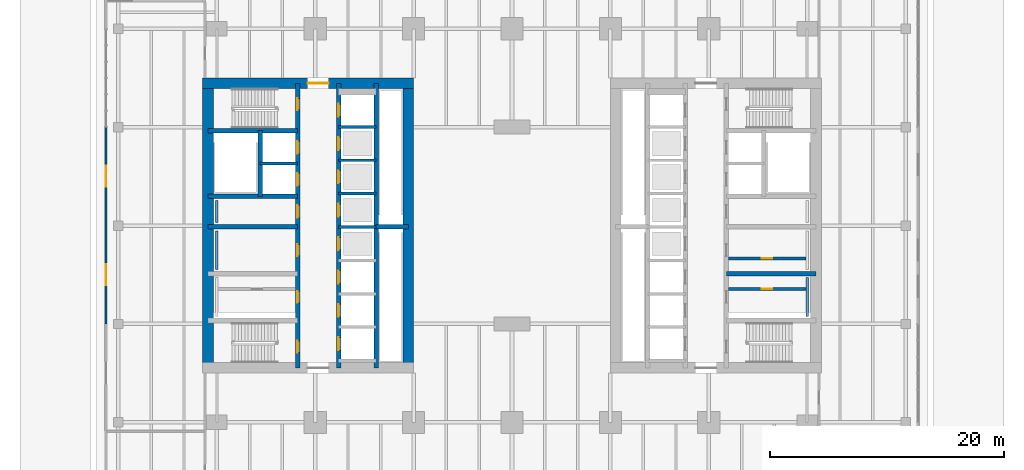
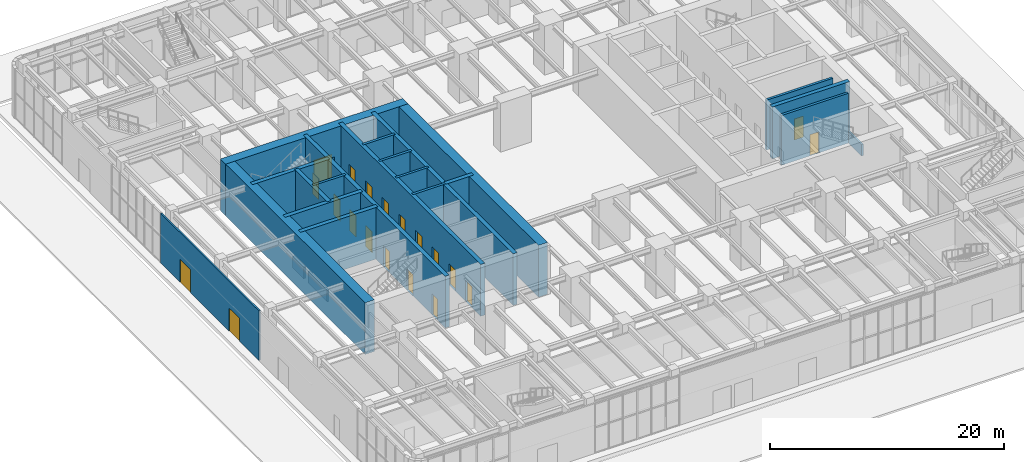
# One storey, part 19 of 31: 23 walls, 20 doors, 20 openings.
"""IFC4 building model written with IfcOpenShell, lengths in metres."""

from ifc_helpers import new_model, si_unit, direction, frame, frame_2d, origin, place, context, subcontext, project, spatial, rectangle, extrude, material, layer, layer_set, type_object, element, fill, save


model = new_model("IFC4")

# Units and contexts
model_context = context("Model", 3, precision=1e-05, world=origin(), true_north=direction((0.0, 1.0)))
body_context = subcontext(model_context, "Body", "Model", "MODEL_VIEW")
ifc_project = project(units=[si_unit("LENGTHUNIT", "METRE"), si_unit("AREAUNIT", "SQUARE_METRE"), si_unit("VOLUMEUNIT", "CUBIC_METRE"), si_unit("PLANEANGLEUNIT", "RADIAN"), si_unit("MASSUNIT", "GRAM", prefix="KILO")], contexts=[model_context])

# Site, building, storey
site_placement = place(None, origin())
site = spatial("IfcSite", under=ifc_project, at=site_placement, CompositionType="ELEMENT")
building_placement = place(site_placement, origin())
building = spatial("IfcBuilding", under=site, at=building_placement, Name="Claustro Exchange Tower", CompositionType="ELEMENT")
storey_placement = place(building_placement, origin())
storey = spatial("IfcBuildingStorey", under=building, at=storey_placement, Name="L00", CompositionType="ELEMENT", Elevation=0.0)

# Wall, openings, doors
ifc_material_1 = material(Name="Aluminium frame, clear double glazing", Category="aluminium")
ifc_layer_1 = layer(ifc_material_1, 0.14990234375)
ifc_layer_set_1 = layer_set([ifc_layer_1], Name="Aluminium frame, clear double glazing")
wall_type_1 = type_object("IfcWallType", Name="GS1 150 glazed entrance screen", PredefinedType="SOLIDWALL", material=ifc_layer_set_1)
wall_1_placement = place(storey_placement, frame((-9.449951171875, 16.800048828125, 0.0), z_axis=(0.0, 0.0, 1.0), x_axis=(0.0, 1.0, 0.0)))
wall_1 = element("IfcWall", 1, at=wall_1_placement, inside=storey, type_object=wall_type_1, Name="Entrance screen GS1 L00", PredefinedType="SOLIDWALL", context=body_context, shape_type="SweptSolid", body=[
    extrude(rectangle(XDim=16.800048828125, YDim=0.14990234375, at=frame_2d((8.39990234375, 0.0))), origin(), (0.0, 0.0, 1.0), 5.199951171875),
])
opening_1_placement = place(wall_1_placement, frame((3.300048828125, 0.0, 0.0)))
opening_1 = element("IfcOpeningElement", 2, at=opening_1_placement, cuts=wall_1, Name="Opening DE1", PredefinedType="OPENING", context=body_context, shape_type="SweptSolid", body=[
    extrude(rectangle(XDim=1.800048828125, YDim=2.39990234375, at=frame_2d((0.89990234375, 1.199951171875))), frame((0.0, 0.0849609375, 0.0), z_axis=(0.0, -1.0, 0.0), x_axis=(1.0, 0.0, 0.0)), (0.0, 0.0, 1.0), 0.169921875),
])
opening_2_placement = place(wall_1_placement, frame((11.699951171875, 0.0, 0.0)))
opening_2 = element("IfcOpeningElement", 3, at=opening_2_placement, cuts=wall_1, Name="Opening DE1", PredefinedType="OPENING", context=body_context, shape_type="SweptSolid", body=[
    extrude(rectangle(XDim=1.800048828125, YDim=2.39990234375, at=frame_2d((0.89990234375, 1.199951171875))), frame((0.0, 0.0849609375, 0.0), z_axis=(0.0, -1.0, 0.0), x_axis=(1.0, 0.0, 0.0)), (0.0, 0.0, 1.0), 0.169921875),
])
ifc_material_2 = material(Name="Aluminium frame, clear double glazing", Category="aluminium")
door_type_1 = type_object("IfcDoorType", Name="DE1 1800 x 2400 entrance double door", OperationType="DOUBLE_DOOR_SINGLE_SWING", PredefinedType="DOOR", material=ifc_material_2)
door_1_placement = place(opening_1_placement, origin())
door_1 = element("IfcDoor", 4, at=door_1_placement, inside=storey, type_object=door_type_1, Name="External door DE1 L00", OperationType="DOUBLE_DOOR_SINGLE_SWING", OverallHeight=2.39990234375, OverallWidth=1.800048828125, PredefinedType="DOOR", context=body_context, shape_type="SweptSolid", body=[
    extrude(rectangle(XDim=1.800048828125, YDim=2.39990234375, at=frame_2d((0.89990234375, 1.199951171875))), frame((0.0, 0.02490234375, 0.0), z_axis=(0.0, -1.0, 0.0), x_axis=(1.0, 0.0, 0.0)), (0.0, 0.0, 1.0), 0.050048828125),
])
fill(opening_1, door_1)
door_2_placement = place(opening_2_placement, origin())
door_2 = element("IfcDoor", 5, at=door_2_placement, inside=storey, type_object=door_type_1, Name="External door DE1 L00", OperationType="DOUBLE_DOOR_SINGLE_SWING", OverallHeight=2.39990234375, OverallWidth=1.800048828125, PredefinedType="DOOR", context=body_context, shape_type="SweptSolid", body=[
    extrude(rectangle(XDim=1.800048828125, YDim=2.39990234375, at=frame_2d((0.89990234375, 1.199951171875))), frame((0.0, 0.02490234375, 0.0), z_axis=(0.0, -1.0, 0.0), x_axis=(1.0, 0.0, 0.0)), (0.0, 0.0, 1.0), 0.050048828125),
])
fill(opening_2, door_2)

# Wall, opening, door
ifc_material_3 = material(Name="Concrete blockwork, rendered", Category="masonry")
ifc_layer_2 = layer(ifc_material_3, 0.25)
ifc_layer_set_2 = layer_set([ifc_layer_2], Name="Concrete blockwork, rendered")
wall_type_2 = type_object("IfcWallType", Name="P4 250 blockwork wall", PredefinedType="PARTITIONING", material=ifc_layer_set_2)
wall_2_placement = place(storey_placement, frame((43.699951171875, 22.39990234375, 0.0), z_axis=(0.0, 0.0, 1.0), x_axis=(1.0, 0.0, 0.0)))
wall_2 = element("IfcWall", 6, at=wall_2_placement, inside=storey, type_object=wall_type_2, Name="Partition P4 L00", PredefinedType="PARTITIONING", context=body_context, shape_type="SweptSolid", body=[
    extrude(rectangle(XDim=6.60009765625, YDim=0.25, at=frame_2d((3.300048828125, 0.0))), origin(), (0.0, 0.0, 1.0), 5.199951171875),
])
opening_3_placement = place(wall_2_placement, frame((2.824951171875, 0.0, 0.0)))
opening_3 = element("IfcOpeningElement", 7, at=opening_3_placement, cuts=wall_2, Name="Opening D5", PredefinedType="OPENING", context=body_context, shape_type="SweptSolid", body=[
    extrude(rectangle(XDim=0.89990234375, YDim=2.199951171875, at=frame_2d((0.449951171875, 1.10009765625))), frame((0.0, 0.135009765625, 0.0), z_axis=(0.0, -1.0, 0.0), x_axis=(1.0, 0.0, 0.0)), (0.0, 0.0, 1.0), 0.27001953125),
])
ifc_material_4 = material(Name="Steel door, painted", Category="steel")
door_type_2 = type_object("IfcDoorType", Name="D5 900 x 2200 store door", OperationType="SINGLE_SWING_LEFT", PredefinedType="DOOR", material=ifc_material_4)
door_3_placement = place(opening_3_placement, frame((0.89990234375, 0.0, 0.0), z_axis=(0.0, 0.0, 1.0), x_axis=(-1.0, 0.0, 0.0)))
door_3 = element("IfcDoor", 8, at=door_3_placement, inside=storey, type_object=door_type_2, Name="Store door D5 L00", OperationType="SINGLE_SWING_LEFT", OverallHeight=2.199951171875, OverallWidth=0.89990234375, PredefinedType="DOOR", context=body_context, shape_type="SweptSolid", body=[
    extrude(rectangle(XDim=0.89990234375, YDim=2.199951171875, at=frame_2d((0.449951171875, 1.10009765625))), frame((0.0, 0.02490234375, 0.0), z_axis=(0.0, -1.0, 0.0), x_axis=(1.0, 0.0, 0.0)), (0.0, 0.0, 1.0), 0.050048828125),
])
fill(opening_3, door_3)

wall_3_placement = place(storey_placement, frame((43.699951171875, 19.800048828125, 0.0), z_axis=(0.0, 0.0, 1.0), x_axis=(1.0, 0.0, 0.0)))
wall_3 = element("IfcWall", 9, at=wall_3_placement, inside=storey, type_object=wall_type_2, Name="Partition P4 L00", PredefinedType="PARTITIONING", context=body_context, shape_type="SweptSolid", body=[
    extrude(rectangle(XDim=6.60009765625, YDim=0.25, at=frame_2d((3.300048828125, 0.0))), origin(), (0.0, 0.0, 1.0), 5.199951171875),
])
opening_4_placement = place(wall_3_placement, frame((2.824951171875, 0.0, 0.0)))
opening_4 = element("IfcOpeningElement", 10, at=opening_4_placement, cuts=wall_3, Name="Opening D5", PredefinedType="OPENING", context=body_context, shape_type="SweptSolid", body=[
    extrude(rectangle(XDim=0.89990234375, YDim=2.199951171875, at=frame_2d((0.449951171875, 1.10009765625))), frame((0.0, 0.135009765625, 0.0), z_axis=(0.0, -1.0, 0.0), x_axis=(1.0, 0.0, 0.0)), (0.0, 0.0, 1.0), 0.27001953125),
])
door_4_placement = place(opening_4_placement, origin())
door_4 = element("IfcDoor", 11, at=door_4_placement, inside=storey, type_object=door_type_2, Name="Store door D5 L00", OperationType="SINGLE_SWING_RIGHT", OverallHeight=2.199951171875, OverallWidth=0.89990234375, PredefinedType="DOOR", context=body_context, shape_type="SweptSolid", body=[
    extrude(rectangle(XDim=0.89990234375, YDim=2.199951171875, at=frame_2d((0.449951171875, 1.10009765625))), frame((0.0, 0.02490234375, 0.0), z_axis=(0.0, -1.0, 0.0), x_axis=(1.0, 0.0, 0.0)), (0.0, 0.0, 1.0), 0.050048828125),
])
fill(opening_4, door_4)

# Walls
ifc_material_5 = material(Name="Gypsum board on steel studs, tiled", Category="steel")
ifc_layer_3 = layer(ifc_material_5, 0.199951171875)
ifc_layer_set_3 = layer_set([ifc_layer_3], Name="Gypsum board on steel studs, tiled")
wall_type_3 = type_object("IfcWallType", Name="PW1 200 WC duct wall", PredefinedType="PLUMBINGWALL", material=ifc_layer_set_3)
for number, where, z_axis, x_axis, name in (
    (12, (50.39990234375, 17.449951171875, 0.0), (0.0, 0.0, 1.0), (0.0, 1.0, 0.0), "WC duct wall PW1 L00"),
    (13, (0.0, 21.449951171875, 0.0), (0.0, 0.0, 1.0), (0.0, 1.0, 0.0), "WC duct wall PW1 L00"),
):
    element("IfcWall", number, at=place(storey_placement, frame(where, z_axis=z_axis, x_axis=x_axis)), inside=storey, type_object=wall_type_3, Name=name, PredefinedType="PLUMBINGWALL", context=body_context, shape_type="SweptSolid", body=[
        extrude(rectangle(XDim=3.300048828125, YDim=0.199951171875, at=frame_2d((1.64990234375, 0.0))), origin(), (0.0, 0.0, 1.0), 1.199951171875),
    ])
wall_4_placement = place(storey_placement, frame((0.0, 25.449951171875, 0.0), z_axis=(0.0, 0.0, 1.0), x_axis=(0.0, 1.0, 0.0)))
element("IfcWall", 14, at=wall_4_placement, inside=storey, type_object=wall_type_3, Name="WC duct wall PW1 L00", PredefinedType="PLUMBINGWALL", context=body_context, shape_type="SweptSolid", body=[
    extrude(rectangle(XDim=1.900146484375, YDim=0.199951171875, at=frame_2d((0.9501953125, 0.0))), origin(), (0.0, 0.0, 1.0), 1.199951171875),
])

# Wall, opening, door
ifc_material_6 = material(Name="Concrete HA-70 (C70/85)", Category="concrete")
ifc_layer_4 = layer(ifc_material_6, 0.89990234375)
ifc_layer_set_4 = layer_set([ifc_layer_4], Name="Concrete HA-70 (C70/85)")
wall_type_4 = type_object("IfcWallType", Name="SW1 900 core shear wall", PredefinedType="SHEAR", material=ifc_layer_set_4)
wall_5_placement = place(storey_placement, frame((-1.199951171875, 37.35009765625, 0.0), z_axis=(0.0, 0.0, 1.0), x_axis=(1.0, 0.0, 0.0)))
wall_5 = element("IfcWall", 15, at=wall_5_placement, inside=storey, type_object=wall_type_4, Name="Core wall SW1 W core N face L00", PredefinedType="SHEAR", context=body_context, shape_type="SweptSolid", body=[
    extrude(rectangle(XDim=18.0, YDim=0.89990234375, at=frame_2d((9.0, 0.0))), origin(), (0.0, 0.0, 1.0), 5.39990234375),
])
opening_5_placement = place(wall_5_placement, frame((8.949951171875, 0.0, 0.0)))
opening_5 = element("IfcOpeningElement", 16, at=opening_5_placement, cuts=wall_5, Name="Opening D3", PredefinedType="OPENING", context=body_context, shape_type="SweptSolid", body=[
    extrude(rectangle(XDim=1.800048828125, YDim=2.39990234375, at=frame_2d((0.89990234375, 1.199951171875))), frame((0.0, 0.4599609375, 0.0), z_axis=(0.0, -1.0, 0.0), x_axis=(1.0, 0.0, 0.0)), (0.0, 0.0, 1.0), 0.919921875),
])
ifc_material_7 = material(Name="Steel fire door, painted", Category="steel")
door_type_3 = type_object("IfcDoorType", Name="D3 1800 x 2400 fire-rated lobby double door", OperationType="DOUBLE_DOOR_SINGLE_SWING", PredefinedType="DOOR", material=ifc_material_7)
door_5_placement = place(opening_5_placement, frame((1.800048828125, 0.0, 0.0), z_axis=(0.0, 0.0, 1.0), x_axis=(-1.0, 0.0, 0.0)))
door_5 = element("IfcDoor", 17, at=door_5_placement, inside=storey, type_object=door_type_3, Name="Lift lobby door D3 L00", OperationType="DOUBLE_DOOR_SINGLE_SWING", OverallHeight=2.39990234375, OverallWidth=1.800048828125, PredefinedType="DOOR", context=body_context, shape_type="SweptSolid", body=[
    extrude(rectangle(XDim=1.800048828125, YDim=2.39990234375, at=frame_2d((0.89990234375, 1.199951171875))), frame((0.0, 0.02490234375, 0.0), z_axis=(0.0, -1.0, 0.0), x_axis=(1.0, 0.0, 0.0)), (0.0, 0.0, 1.0), 0.050048828125),
])
fill(opening_5, door_5)

# Walls
ifc_material_8 = material(Name="Concrete HA-70 (C70/85)", Category="concrete")
ifc_layer_5 = layer(ifc_material_8, 0.89990234375)
ifc_layer_set_5 = layer_set([ifc_layer_5], Name="Concrete HA-70 (C70/85)")
wall_type_5 = type_object("IfcWallType", Name="SW1X 900 exposed core shear wall, board-marked face", PredefinedType="SHEAR", material=ifc_layer_set_5)
for number, where, z_axis, x_axis, name in (
    (18, (-0.75, 13.050048828125, 0.0), (0.0, 0.0, 1.0), (0.0, 1.0, 0.0), "Core wall SW1X W core W face L00"),
    (19, (16.35009765625, 13.050048828125, 0.0), (0.0, 0.0, 1.0), (0.0, 1.0, 0.0), "Core wall SW1X W core E face L00"),
):
    element("IfcWall", number, at=place(storey_placement, frame(where, z_axis=z_axis, x_axis=x_axis)), inside=storey, type_object=wall_type_5, Name=name, PredefinedType="SHEAR", context=body_context, shape_type="SweptSolid", body=[
        extrude(rectangle(XDim=24.300048828125, YDim=0.89990234375, at=frame_2d((12.14990234375, 0.0))), origin(), (0.0, 0.0, 1.0), 5.39990234375),
    ])

# Wall, openings, doors
ifc_material_9 = material(Name="Concrete HA-50 (C50/60)", Category="concrete")
ifc_layer_6 = layer(ifc_material_9, 0.39990234375)
ifc_layer_set_6 = layer_set([ifc_layer_6], Name="Concrete HA-50 (C50/60)")
wall_type_6 = type_object("IfcWallType", Name="SW4 400 internal core wall", PredefinedType="SHEAR", material=ifc_layer_set_6)
wall_6_placement = place(storey_placement, frame((6.89990234375, 13.050048828125, 0.0), z_axis=(0.0, 0.0, 1.0), x_axis=(0.0, 1.0, 0.0)))
wall_6 = element("IfcWall", 20, at=wall_6_placement, inside=storey, type_object=wall_type_6, Name="Internal core wall SW4 W core L00", PredefinedType="SHEAR", context=body_context, shape_type="SweptSolid", body=[
    extrude(rectangle(XDim=24.300048828125, YDim=0.39990234375, at=frame_2d((12.14990234375, 0.0))), origin(), (0.0, 0.0, 1.0), 5.39990234375),
])
opening_6_placement = place(wall_6_placement, frame((1.300048828125, 0.0, 0.0)))
opening_6 = element("IfcOpeningElement", 21, at=opening_6_placement, cuts=wall_6, Name="Opening D4", PredefinedType="OPENING", context=body_context, shape_type="SweptSolid", body=[
    extrude(rectangle(XDim=1.0, YDim=2.199951171875, at=frame_2d((0.5, 1.10009765625))), frame((0.0, 0.2099609375, 0.0), z_axis=(0.0, -1.0, 0.0), x_axis=(1.0, 0.0, 0.0)), (0.0, 0.0, 1.0), 0.419921875),
])
opening_7_placement = place(wall_6_placement, frame((22.0, 0.0, 0.0)))
opening_7 = element("IfcOpeningElement", 22, at=opening_7_placement, cuts=wall_6, Name="Opening D4", PredefinedType="OPENING", context=body_context, shape_type="SweptSolid", body=[
    extrude(rectangle(XDim=1.0, YDim=2.199951171875, at=frame_2d((0.5, 1.10009765625))), frame((0.0, 0.2099609375, 0.0), z_axis=(0.0, -1.0, 0.0), x_axis=(1.0, 0.0, 0.0)), (0.0, 0.0, 1.0), 0.419921875),
])
opening_8_placement = place(wall_6_placement, frame((5.550048828125, 0.0, 0.0)))
opening_8 = element("IfcOpeningElement", 23, at=opening_8_placement, cuts=wall_6, Name="Opening D1", PredefinedType="OPENING", context=body_context, shape_type="SweptSolid", body=[
    extrude(rectangle(XDim=1.0, YDim=2.199951171875, at=frame_2d((0.5, 1.10009765625))), frame((0.0, 0.2099609375, 0.0), z_axis=(0.0, -1.0, 0.0), x_axis=(1.0, 0.0, 0.0)), (0.0, 0.0, 1.0), 0.419921875),
])
opening_9_placement = place(wall_6_placement, frame((9.550048828125, 0.0, 0.0)))
opening_9 = element("IfcOpeningElement", 24, at=opening_9_placement, cuts=wall_6, Name="Opening D1", PredefinedType="OPENING", context=body_context, shape_type="SweptSolid", body=[
    extrude(rectangle(XDim=1.0, YDim=2.199951171875, at=frame_2d((0.5, 1.10009765625))), frame((0.0, 0.2099609375, 0.0), z_axis=(0.0, -1.0, 0.0), x_axis=(1.0, 0.0, 0.0)), (0.0, 0.0, 1.0), 0.419921875),
])
opening_10_placement = place(wall_6_placement, frame((12.800048828125, 0.0, 0.0)))
opening_10 = element("IfcOpeningElement", 25, at=opening_10_placement, cuts=wall_6, Name="Opening D10", PredefinedType="OPENING", context=body_context, shape_type="SweptSolid", body=[
    extrude(rectangle(XDim=1.10009765625, YDim=2.199951171875, at=frame_2d((0.550048828125, 1.10009765625))), frame((0.0, 0.2099609375, 0.0), z_axis=(0.0, -1.0, 0.0), x_axis=(1.0, 0.0, 0.0)), (0.0, 0.0, 1.0), 0.419921875),
])
opening_11_placement = place(wall_6_placement, frame((15.53759765625, 0.0, 0.0)))
opening_11 = element("IfcOpeningElement", 26, at=opening_11_placement, cuts=wall_6, Name="Opening LD", PredefinedType="OPENING", context=body_context, shape_type="SweptSolid", body=[
    extrude(rectangle(XDim=1.10009765625, YDim=2.199951171875, at=frame_2d((0.550048828125, 1.10009765625))), frame((0.0, 0.2099609375, 0.0), z_axis=(0.0, -1.0, 0.0), x_axis=(1.0, 0.0, 0.0)), (0.0, 0.0, 1.0), 0.419921875),
])
opening_12_placement = place(wall_6_placement, frame((18.262451171875, 0.0, 0.0)))
opening_12 = element("IfcOpeningElement", 27, at=opening_12_placement, cuts=wall_6, Name="Opening LD", PredefinedType="OPENING", context=body_context, shape_type="SweptSolid", body=[
    extrude(rectangle(XDim=1.10009765625, YDim=2.199951171875, at=frame_2d((0.550048828125, 1.10009765625))), frame((0.0, 0.2099609375, 0.0), z_axis=(0.0, -1.0, 0.0), x_axis=(1.0, 0.0, 0.0)), (0.0, 0.0, 1.0), 0.419921875),
])
ifc_material_10 = material(Name="Timber door, oak veneer", Category="wood")
door_type_4 = type_object("IfcDoorType", Name="D1 1000 x 2200 single door", OperationType="SINGLE_SWING_LEFT", PredefinedType="DOOR", material=ifc_material_10)
door_6_placement = place(opening_8_placement, origin())
door_6 = element("IfcDoor", 28, at=door_6_placement, inside=storey, type_object=door_type_4, Name="Door D1 L00", OperationType="SINGLE_SWING_RIGHT", OverallHeight=2.199951171875, OverallWidth=1.0, PredefinedType="DOOR", context=body_context, shape_type="SweptSolid", body=[
    extrude(rectangle(XDim=1.0, YDim=2.199951171875, at=frame_2d((0.5, 1.10009765625))), frame((0.0, 0.02490234375, 0.0), z_axis=(0.0, -1.0, 0.0), x_axis=(1.0, 0.0, 0.0)), (0.0, 0.0, 1.0), 0.050048828125),
])
fill(opening_8, door_6)
door_7_placement = place(opening_9_placement, origin())
door_7 = element("IfcDoor", 29, at=door_7_placement, inside=storey, type_object=door_type_4, Name="Door D1 L00", OperationType="SINGLE_SWING_RIGHT", OverallHeight=2.199951171875, OverallWidth=1.0, PredefinedType="DOOR", context=body_context, shape_type="SweptSolid", body=[
    extrude(rectangle(XDim=1.0, YDim=2.199951171875, at=frame_2d((0.5, 1.10009765625))), frame((0.0, 0.02490234375, 0.0), z_axis=(0.0, -1.0, 0.0), x_axis=(1.0, 0.0, 0.0)), (0.0, 0.0, 1.0), 0.050048828125),
])
fill(opening_9, door_7)
ifc_material_11 = material(Name="Timber door, oak veneer", Category="wood")
door_type_5 = type_object("IfcDoorType", Name="D10 1100 x 2200 accessible WC door", OperationType="SINGLE_SWING_LEFT", PredefinedType="DOOR", material=ifc_material_11)
door_8_placement = place(opening_10_placement, frame((1.10009765625, 0.0, 0.0), z_axis=(0.0, 0.0, 1.0), x_axis=(-1.0, 0.0, 0.0)))
door_8 = element("IfcDoor", 30, at=door_8_placement, inside=storey, type_object=door_type_5, Name="Accessible WC door D10 L00", OperationType="SINGLE_SWING_LEFT", OverallHeight=2.199951171875, OverallWidth=1.10009765625, PredefinedType="DOOR", context=body_context, shape_type="SweptSolid", body=[
    extrude(rectangle(XDim=1.10009765625, YDim=2.199951171875, at=frame_2d((0.550048828125, 1.10009765625))), frame((0.0, 0.02490234375, 0.0), z_axis=(0.0, -1.0, 0.0), x_axis=(1.0, 0.0, 0.0)), (0.0, 0.0, 1.0), 0.050048828125),
])
fill(opening_10, door_8)
ifc_material_12 = material(Name="Steel fire door, painted", Category="steel")
door_type_6 = type_object("IfcDoorType", Name="D4 1000 x 2200 fire-rated stair door", OperationType="SINGLE_SWING_LEFT", PredefinedType="DOOR", material=ifc_material_12)
door_9_placement = place(opening_6_placement, frame((1.0, 0.0, 0.0), z_axis=(0.0, 0.0, 1.0), x_axis=(-1.0, 0.0, 0.0)))
door_9 = element("IfcDoor", 31, at=door_9_placement, inside=storey, type_object=door_type_6, Name="Stair door D4 L00", OperationType="SINGLE_SWING_RIGHT", OverallHeight=2.199951171875, OverallWidth=1.0, PredefinedType="DOOR", context=body_context, shape_type="SweptSolid", body=[
    extrude(rectangle(XDim=1.0, YDim=2.199951171875, at=frame_2d((0.5, 1.10009765625))), frame((0.0, 0.02490234375, 0.0), z_axis=(0.0, -1.0, 0.0), x_axis=(1.0, 0.0, 0.0)), (0.0, 0.0, 1.0), 0.050048828125),
])
fill(opening_6, door_9)
door_10_placement = place(opening_7_placement, frame((1.0, 0.0, 0.0), z_axis=(0.0, 0.0, 1.0), x_axis=(-1.0, 0.0, 0.0)))
door_10 = element("IfcDoor", 32, at=door_10_placement, inside=storey, type_object=door_type_6, Name="Stair door D4 L00", OperationType="SINGLE_SWING_LEFT", OverallHeight=2.199951171875, OverallWidth=1.0, PredefinedType="DOOR", context=body_context, shape_type="SweptSolid", body=[
    extrude(rectangle(XDim=1.0, YDim=2.199951171875, at=frame_2d((0.5, 1.10009765625))), frame((0.0, 0.02490234375, 0.0), z_axis=(0.0, -1.0, 0.0), x_axis=(1.0, 0.0, 0.0)), (0.0, 0.0, 1.0), 0.050048828125),
])
fill(opening_7, door_10)
ifc_material_13 = material(Name="Stainless steel sliding door", Category="steel")
door_type_7 = type_object("IfcDoorType", Name="LD 1100 x 2200 lift landing door", OperationType="DOUBLE_DOOR_SLIDING", PredefinedType="DOOR", material=ifc_material_13)
door_11_placement = place(opening_11_placement, origin())
door_11 = element("IfcDoor", 33, at=door_11_placement, inside=storey, type_object=door_type_7, Name="Lift landing door LEW1 LD L00", OperationType="DOUBLE_DOOR_SLIDING", OverallHeight=2.199951171875, OverallWidth=1.10009765625, PredefinedType="DOOR", context=body_context, shape_type="SweptSolid", body=[
    extrude(rectangle(XDim=1.10009765625, YDim=2.199951171875, at=frame_2d((0.550048828125, 1.10009765625))), frame((0.0, 0.02490234375, 0.0), z_axis=(0.0, -1.0, 0.0), x_axis=(1.0, 0.0, 0.0)), (0.0, 0.0, 1.0), 0.050048828125),
])
fill(opening_11, door_11)
door_12_placement = place(opening_12_placement, origin())
door_12 = element("IfcDoor", 34, at=door_12_placement, inside=storey, type_object=door_type_7, Name="Lift landing door LEW2 LD L00", OperationType="DOUBLE_DOOR_SLIDING", OverallHeight=2.199951171875, OverallWidth=1.10009765625, PredefinedType="DOOR", context=body_context, shape_type="SweptSolid", body=[
    extrude(rectangle(XDim=1.10009765625, YDim=2.199951171875, at=frame_2d((0.550048828125, 1.10009765625))), frame((0.0, 0.02490234375, 0.0), z_axis=(0.0, -1.0, 0.0), x_axis=(1.0, 0.0, 0.0)), (0.0, 0.0, 1.0), 0.050048828125),
])
fill(opening_12, door_12)

wall_7_placement = place(storey_placement, frame((10.39990234375, 13.050048828125, 0.0), z_axis=(0.0, 0.0, 1.0), x_axis=(0.0, 1.0, 0.0)))
wall_7 = element("IfcWall", 35, at=wall_7_placement, inside=storey, type_object=wall_type_6, Name="Internal core wall SW4 W core L00", PredefinedType="SHEAR", context=body_context, shape_type="SweptSolid", body=[
    extrude(rectangle(XDim=24.300048828125, YDim=0.39990234375, at=frame_2d((12.14990234375, 0.0))), origin(), (0.0, 0.0, 1.0), 5.39990234375),
])
opening_13_placement = place(wall_7_placement, frame((1.5, 0.0, 0.0)))
opening_13 = element("IfcOpeningElement", 36, at=opening_13_placement, cuts=wall_7, Name="Opening LD", PredefinedType="OPENING", context=body_context, shape_type="SweptSolid", body=[
    extrude(rectangle(XDim=1.10009765625, YDim=2.199951171875, at=frame_2d((0.550048828125, 1.10009765625))), frame((0.0, 0.2099609375, 0.0), z_axis=(0.0, -1.0, 0.0), x_axis=(1.0, 0.0, 0.0)), (0.0, 0.0, 1.0), 0.419921875),
])
opening_14_placement = place(wall_7_placement, frame((4.35009765625, 0.0, 0.0)))
opening_14 = element("IfcOpeningElement", 37, at=opening_14_placement, cuts=wall_7, Name="Opening LD", PredefinedType="OPENING", context=body_context, shape_type="SweptSolid", body=[
    extrude(rectangle(XDim=1.10009765625, YDim=2.199951171875, at=frame_2d((0.550048828125, 1.10009765625))), frame((0.0, 0.2099609375, 0.0), z_axis=(0.0, -1.0, 0.0), x_axis=(1.0, 0.0, 0.0)), (0.0, 0.0, 1.0), 0.419921875),
])
opening_15_placement = place(wall_7_placement, frame((7.199951171875, 0.0, 0.0)))
opening_15 = element("IfcOpeningElement", 38, at=opening_15_placement, cuts=wall_7, Name="Opening LD", PredefinedType="OPENING", context=body_context, shape_type="SweptSolid", body=[
    extrude(rectangle(XDim=1.10009765625, YDim=2.199951171875, at=frame_2d((0.550048828125, 1.10009765625))), frame((0.0, 0.2099609375, 0.0), z_axis=(0.0, -1.0, 0.0), x_axis=(1.0, 0.0, 0.0)), (0.0, 0.0, 1.0), 0.419921875),
])
opening_16_placement = place(wall_7_placement, frame((10.050048828125, 0.0, 0.0)))
opening_16 = element("IfcOpeningElement", 39, at=opening_16_placement, cuts=wall_7, Name="Opening LD", PredefinedType="OPENING", context=body_context, shape_type="SweptSolid", body=[
    extrude(rectangle(XDim=1.10009765625, YDim=2.199951171875, at=frame_2d((0.550048828125, 1.10009765625))), frame((0.0, 0.2099609375, 0.0), z_axis=(0.0, -1.0, 0.0), x_axis=(1.0, 0.0, 0.0)), (0.0, 0.0, 1.0), 0.419921875),
])
opening_17_placement = place(wall_7_placement, frame((12.89990234375, 0.0, 0.0)))
opening_17 = element("IfcOpeningElement", 40, at=opening_17_placement, cuts=wall_7, Name="Opening LD", PredefinedType="OPENING", context=body_context, shape_type="SweptSolid", body=[
    extrude(rectangle(XDim=1.10009765625, YDim=2.199951171875, at=frame_2d((0.550048828125, 1.10009765625))), frame((0.0, 0.2099609375, 0.0), z_axis=(0.0, -1.0, 0.0), x_axis=(1.0, 0.0, 0.0)), (0.0, 0.0, 1.0), 0.419921875),
])
opening_18_placement = place(wall_7_placement, frame((15.75, 0.0, 0.0)))
opening_18 = element("IfcOpeningElement", 41, at=opening_18_placement, cuts=wall_7, Name="Opening LD", PredefinedType="OPENING", context=body_context, shape_type="SweptSolid", body=[
    extrude(rectangle(XDim=1.10009765625, YDim=2.199951171875, at=frame_2d((0.550048828125, 1.10009765625))), frame((0.0, 0.2099609375, 0.0), z_axis=(0.0, -1.0, 0.0), x_axis=(1.0, 0.0, 0.0)), (0.0, 0.0, 1.0), 0.419921875),
])
opening_19_placement = place(wall_7_placement, frame((18.60009765625, 0.0, 0.0)))
opening_19 = element("IfcOpeningElement", 42, at=opening_19_placement, cuts=wall_7, Name="Opening LD", PredefinedType="OPENING", context=body_context, shape_type="SweptSolid", body=[
    extrude(rectangle(XDim=1.10009765625, YDim=2.199951171875, at=frame_2d((0.550048828125, 1.10009765625))), frame((0.0, 0.2099609375, 0.0), z_axis=(0.0, -1.0, 0.0), x_axis=(1.0, 0.0, 0.0)), (0.0, 0.0, 1.0), 0.419921875),
])
opening_20_placement = place(wall_7_placement, frame((21.449951171875, 0.0, 0.0)))
opening_20 = element("IfcOpeningElement", 43, at=opening_20_placement, cuts=wall_7, Name="Opening LD", PredefinedType="OPENING", context=body_context, shape_type="SweptSolid", body=[
    extrude(rectangle(XDim=1.10009765625, YDim=2.199951171875, at=frame_2d((0.550048828125, 1.10009765625))), frame((0.0, 0.2099609375, 0.0), z_axis=(0.0, -1.0, 0.0), x_axis=(1.0, 0.0, 0.0)), (0.0, 0.0, 1.0), 0.419921875),
])
door_13_placement = place(opening_13_placement, origin())
door_13 = element("IfcDoor", 44, at=door_13_placement, inside=storey, type_object=door_type_7, Name="Lift landing door LLW1 LD L00", OperationType="DOUBLE_DOOR_SLIDING", OverallHeight=2.199951171875, OverallWidth=1.10009765625, PredefinedType="DOOR", context=body_context, shape_type="SweptSolid", body=[
    extrude(rectangle(XDim=1.10009765625, YDim=2.199951171875, at=frame_2d((0.550048828125, 1.10009765625))), frame((0.0, 0.02490234375, 0.0), z_axis=(0.0, -1.0, 0.0), x_axis=(1.0, 0.0, 0.0)), (0.0, 0.0, 1.0), 0.050048828125),
])
fill(opening_13, door_13)
door_14_placement = place(opening_14_placement, origin())
door_14 = element("IfcDoor", 45, at=door_14_placement, inside=storey, type_object=door_type_7, Name="Lift landing door LLW2 LD L00", OperationType="DOUBLE_DOOR_SLIDING", OverallHeight=2.199951171875, OverallWidth=1.10009765625, PredefinedType="DOOR", context=body_context, shape_type="SweptSolid", body=[
    extrude(rectangle(XDim=1.10009765625, YDim=2.199951171875, at=frame_2d((0.550048828125, 1.10009765625))), frame((0.0, 0.02490234375, 0.0), z_axis=(0.0, -1.0, 0.0), x_axis=(1.0, 0.0, 0.0)), (0.0, 0.0, 1.0), 0.050048828125),
])
fill(opening_14, door_14)
door_15_placement = place(opening_15_placement, origin())
door_15 = element("IfcDoor", 46, at=door_15_placement, inside=storey, type_object=door_type_7, Name="Lift landing door LLW3 LD L00", OperationType="DOUBLE_DOOR_SLIDING", OverallHeight=2.199951171875, OverallWidth=1.10009765625, PredefinedType="DOOR", context=body_context, shape_type="SweptSolid", body=[
    extrude(rectangle(XDim=1.10009765625, YDim=2.199951171875, at=frame_2d((0.550048828125, 1.10009765625))), frame((0.0, 0.02490234375, 0.0), z_axis=(0.0, -1.0, 0.0), x_axis=(1.0, 0.0, 0.0)), (0.0, 0.0, 1.0), 0.050048828125),
])
fill(opening_15, door_15)
door_16_placement = place(opening_16_placement, origin())
door_16 = element("IfcDoor", 47, at=door_16_placement, inside=storey, type_object=door_type_7, Name="Lift landing door LMW1 LD L00", OperationType="DOUBLE_DOOR_SLIDING", OverallHeight=2.199951171875, OverallWidth=1.10009765625, PredefinedType="DOOR", context=body_context, shape_type="SweptSolid", body=[
    extrude(rectangle(XDim=1.10009765625, YDim=2.199951171875, at=frame_2d((0.550048828125, 1.10009765625))), frame((0.0, 0.02490234375, 0.0), z_axis=(0.0, -1.0, 0.0), x_axis=(1.0, 0.0, 0.0)), (0.0, 0.0, 1.0), 0.050048828125),
])
fill(opening_16, door_16)
door_17_placement = place(opening_17_placement, origin())
door_17 = element("IfcDoor", 48, at=door_17_placement, inside=storey, type_object=door_type_7, Name="Lift landing door LMW2 LD L00", OperationType="DOUBLE_DOOR_SLIDING", OverallHeight=2.199951171875, OverallWidth=1.10009765625, PredefinedType="DOOR", context=body_context, shape_type="SweptSolid", body=[
    extrude(rectangle(XDim=1.10009765625, YDim=2.199951171875, at=frame_2d((0.550048828125, 1.10009765625))), frame((0.0, 0.02490234375, 0.0), z_axis=(0.0, -1.0, 0.0), x_axis=(1.0, 0.0, 0.0)), (0.0, 0.0, 1.0), 0.050048828125),
])
fill(opening_17, door_17)
door_18_placement = place(opening_18_placement, origin())
door_18 = element("IfcDoor", 49, at=door_18_placement, inside=storey, type_object=door_type_7, Name="Lift landing door LHW1 LD L00", OperationType="DOUBLE_DOOR_SLIDING", OverallHeight=2.199951171875, OverallWidth=1.10009765625, PredefinedType="DOOR", context=body_context, shape_type="SweptSolid", body=[
    extrude(rectangle(XDim=1.10009765625, YDim=2.199951171875, at=frame_2d((0.550048828125, 1.10009765625))), frame((0.0, 0.02490234375, 0.0), z_axis=(0.0, -1.0, 0.0), x_axis=(1.0, 0.0, 0.0)), (0.0, 0.0, 1.0), 0.050048828125),
])
fill(opening_18, door_18)
door_19_placement = place(opening_19_placement, origin())
door_19 = element("IfcDoor", 50, at=door_19_placement, inside=storey, type_object=door_type_7, Name="Lift landing door LHW2 LD L00", OperationType="DOUBLE_DOOR_SLIDING", OverallHeight=2.199951171875, OverallWidth=1.10009765625, PredefinedType="DOOR", context=body_context, shape_type="SweptSolid", body=[
    extrude(rectangle(XDim=1.10009765625, YDim=2.199951171875, at=frame_2d((0.550048828125, 1.10009765625))), frame((0.0, 0.02490234375, 0.0), z_axis=(0.0, -1.0, 0.0), x_axis=(1.0, 0.0, 0.0)), (0.0, 0.0, 1.0), 0.050048828125),
])
fill(opening_19, door_19)
door_20_placement = place(opening_20_placement, origin())
door_20 = element("IfcDoor", 51, at=door_20_placement, inside=storey, type_object=door_type_7, Name="Lift landing door LSW1 LD L00", OperationType="DOUBLE_DOOR_SLIDING", OverallHeight=2.199951171875, OverallWidth=1.10009765625, PredefinedType="DOOR", context=body_context, shape_type="SweptSolid", body=[
    extrude(rectangle(XDim=1.10009765625, YDim=2.199951171875, at=frame_2d((0.550048828125, 1.10009765625))), frame((0.0, 0.02490234375, 0.0), z_axis=(0.0, -1.0, 0.0), x_axis=(1.0, 0.0, 0.0)), (0.0, 0.0, 1.0), 0.050048828125),
])
fill(opening_20, door_20)

# Walls
wall_8_placement = place(storey_placement, frame((13.60009765625, 13.050048828125, 0.0), z_axis=(0.0, 0.0, 1.0), x_axis=(0.0, 1.0, 0.0)))
element("IfcWall", 52, at=wall_8_placement, inside=storey, type_object=wall_type_6, Name="Internal core wall SW4 W core L00", PredefinedType="SHEAR", context=body_context, shape_type="SweptSolid", body=[
    extrude(rectangle(XDim=24.300048828125, YDim=0.39990234375, at=frame_2d((12.14990234375, 0.0))), origin(), (0.0, 0.0, 1.0), 5.39990234375),
])
for number, where, z_axis, x_axis, name in (
    (53, (-0.75, 25.10009765625, 0.0), (0.0, 0.0, 1.0), (1.0, 0.0, 0.0), "Internal core wall SW4 W core L00"),
    (54, (-0.75, 27.699951171875, 0.0), (0.0, 0.0, 1.0), (1.0, 0.0, 0.0), "Internal core wall SW4 W core L00"),
    (55, (-0.75, 33.300048828125, 0.0), (0.0, 0.0, 1.0), (1.0, 0.0, 0.0), "Internal core wall SW4 W core L00"),
):
    element("IfcWall", number, at=place(storey_placement, frame(where, z_axis=z_axis, x_axis=x_axis)), inside=storey, type_object=wall_type_6, Name=name, PredefinedType="SHEAR", context=body_context, shape_type="SweptSolid", body=[
        extrude(rectangle(XDim=7.64990234375, YDim=0.39990234375, at=frame_2d((3.824951171875, 0.0))), origin(), (0.0, 0.0, 1.0), 5.39990234375),
    ])
wall_9_placement = place(storey_placement, frame((3.699951171875, 27.699951171875, 0.0), z_axis=(0.0, 0.0, 1.0), x_axis=(0.0, 1.0, 0.0)))
element("IfcWall", 56, at=wall_9_placement, inside=storey, type_object=wall_type_6, Name="Internal core wall SW4 W core L00", PredefinedType="SHEAR", context=body_context, shape_type="SweptSolid", body=[
    extrude(rectangle(XDim=5.60009765625, YDim=0.39990234375, at=frame_2d((2.800048828125, 0.0))), origin(), (0.0, 0.0, 1.0), 5.39990234375),
])
wall_10_placement = place(storey_placement, frame((13.60009765625, 25.10009765625, 0.0), z_axis=(0.0, 0.0, 1.0), x_axis=(1.0, 0.0, 0.0)))
element("IfcWall", 57, at=wall_10_placement, inside=storey, type_object=wall_type_6, Name="Internal core wall SW4 W core L00", PredefinedType="SHEAR", context=body_context, shape_type="SweptSolid", body=[
    extrude(rectangle(XDim=2.75, YDim=0.39990234375, at=frame_2d((1.375, 0.0))), origin(), (0.0, 0.0, 1.0), 5.39990234375),
])
wall_11_placement = place(storey_placement, frame((51.14990234375, 21.10009765625, 0.0), z_axis=(0.0, 0.0, 1.0), x_axis=(-1.0, 0.0, 0.0)))
element("IfcWall", 58, at=wall_11_placement, inside=storey, type_object=wall_type_6, Name="Internal core wall SW4 E core L00", PredefinedType="SHEAR", context=body_context, shape_type="SweptSolid", body=[
    extrude(rectangle(XDim=7.64990234375, YDim=0.39990234375, at=frame_2d((3.824951171875, 0.0))), origin(), (0.0, 0.0, 1.0), 5.39990234375),
])
ifc_material_14 = material(Name="Concrete HA-50 (C50/60)", Category="concrete")
ifc_layer_7 = layer(ifc_material_14, 0.25)
ifc_layer_set_7 = layer_set([ifc_layer_7], Name="Concrete HA-50 (C50/60)")
wall_type_7 = type_object("IfcWallType", Name="SW5 250 lift shaft divider wall", PredefinedType="SHEAR", material=ifc_layer_set_7)
wall_12_placement = place(storey_placement, frame((3.699951171875, 30.5, 0.0), z_axis=(0.0, 0.0, 1.0), x_axis=(1.0, 0.0, 0.0)))
element("IfcWall", 59, at=wall_12_placement, inside=storey, type_object=wall_type_7, Name="Lift shaft wall W core L00", PredefinedType="SHEAR", context=body_context, shape_type="SweptSolid", body=[
    extrude(rectangle(XDim=3.199951171875, YDim=0.25, at=frame_2d((1.60009765625, 0.0))), origin(), (0.0, 0.0, 1.0), 5.39990234375),
])
for number, where, z_axis, x_axis, name in (
    (60, (10.39990234375, 25.074951171875, 0.0), (0.0, 0.0, 1.0), (1.0, 0.0, 0.0), "Lift shaft wall W core L00"),
    (61, (10.39990234375, 27.925048828125, 0.0), (0.0, 0.0, 1.0), (1.0, 0.0, 0.0), "Lift shaft wall W core L00"),
    (62, (10.39990234375, 30.77490234375, 0.0), (0.0, 0.0, 1.0), (1.0, 0.0, 0.0), "Lift shaft wall W core L00"),
    (63, (10.39990234375, 33.625, 0.0), (0.0, 0.0, 1.0), (1.0, 0.0, 0.0), "Lift shaft wall W core L00"),
):
    element("IfcWall", number, at=place(storey_placement, frame(where, z_axis=z_axis, x_axis=x_axis)), inside=storey, type_object=wall_type_7, Name=name, PredefinedType="SHEAR", context=body_context, shape_type="SweptSolid", body=[
        extrude(rectangle(XDim=3.2001953125, YDim=0.25, at=frame_2d((1.60009765625, 0.0))), origin(), (0.0, 0.0, 1.0), 5.39990234375),
    ])

save(model, "model.ifc")
